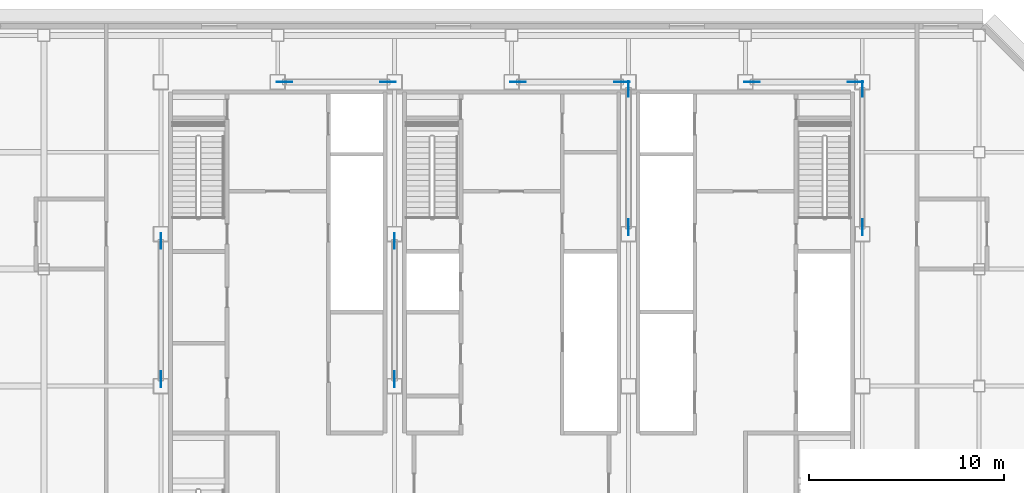
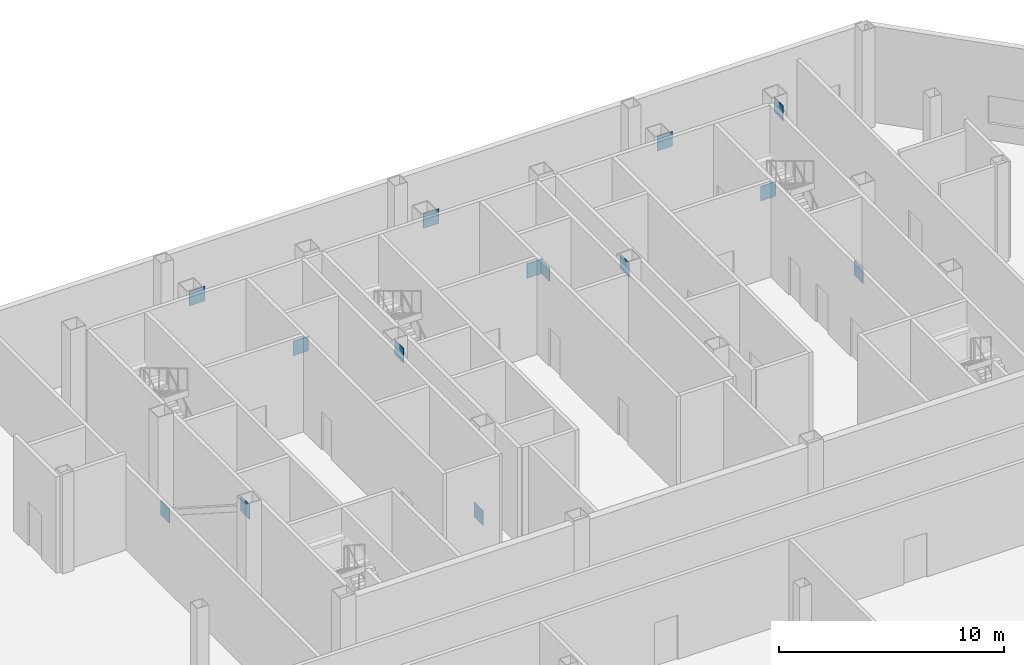
# One storey, part 9 of 11: 14 discrete accessories.
"""IFC4 building model written with IfcOpenShell, lengths in metres."""

from ifc_helpers import new_model, si_unit, direction, frame, origin, origin_2d, place, context, subcontext, project, spatial, rectangle, extrude, material, layer, layer_set, type_object, element, save


model = new_model("IFC4")

# Units and contexts
model_context = context("Model", 3, precision=1e-05, world=origin(), true_north=direction((0.0, 1.0)))
body_context = subcontext(model_context, "Body", "Model", "MODEL_VIEW")
ifc_project = project(units=[si_unit("LENGTHUNIT", "METRE"), si_unit("AREAUNIT", "SQUARE_METRE"), si_unit("VOLUMEUNIT", "CUBIC_METRE"), si_unit("PLANEANGLEUNIT", "RADIAN"), si_unit("MASSUNIT", "GRAM", prefix="KILO")], contexts=[model_context])

# Site, building, storey
site_placement = place(None, origin())
site = spatial("IfcSite", under=ifc_project, at=site_placement, CompositionType="ELEMENT")
building_placement = place(site_placement, origin())
building = spatial("IfcBuilding", under=site, at=building_placement, Name="Sorahane Residences", CompositionType="ELEMENT")
storey_placement = place(building_placement, frame((0.0, 0.0, 234.199951171875)))
storey = spatial("IfcBuildingStorey", under=building, at=storey_placement, Name="L55", CompositionType="ELEMENT", Elevation=234.199951171875)

# Discrete accessories
ifc_material = material(Name="Steel Q355B", Category="steel")
ifc_layer = layer(ifc_material, 0.02490234375)
ifc_layer_set = layer_set([ifc_layer], Name="Node plate Steel Q355B 25")
discrete_accessory_type = type_object("IfcDiscreteAccessoryType", Name="Node plate Steel Q355B 25", PredefinedType="BRACKET", material=ifc_layer_set)
for number, where, z_axis, x_axis, name in (
    (1, (6.0, 37.448486328125, -0.28076171875), (0.0, 0.0, 1.0), (0.0, 1.0, 0.0), "Node plate L55 br"),
    (2, (6.0, 30.3515625, 4.2509765625), (0.0, 0.0, 1.0), (0.0, 1.0, 0.0), "Node plate L55 br"),
    (3, (18.0, 30.3515625, -0.28076171875), (0.0, 0.0, 1.0), (0.0, 1.0, 0.0), "Node plate L55 br"),
    (4, (18.0, 37.448486328125, 4.2509765625), (0.0, 0.0, 1.0), (0.0, 1.0, 0.0), "Node plate L55 br"),
    (5, (30.0, 45.248291015625, -0.28076171875), (0.0, 0.0, 1.0), (0.0, 1.0, 0.0), "Node plate L55 br"),
    (6, (30.0, 38.151611328125, 4.2509765625), (0.0, 0.0, 1.0), (0.0, 1.0, 0.0), "Node plate L55 br"),
    (7, (42.0, 38.151611328125, -0.28076171875), (0.0, 0.0, 1.0), (0.0, 1.0, 0.0), "Node plate L55 br"),
    (8, (42.0, 45.248291015625, 4.2509765625), (0.0, 0.0, 1.0), (0.0, 1.0, 0.0), "Node plate L55 br"),
    (9, (17.65869140625, 45.60009765625, -0.30029296875), (0.0, 0.0, 1.0), (1.0, 0.0, 0.0), "Node plate L55 br"),
    (10, (29.65869140625, 45.60009765625, -0.30029296875), (0.0, 0.0, 1.0), (1.0, 0.0, 0.0), "Node plate L55 br"),
    (11, (41.65869140625, 45.60009765625, -0.30029296875), (0.0, 0.0, 1.0), (1.0, 0.0, 0.0), "Node plate L55 br"),
    (12, (12.34130859375, 45.60009765625, 4.2705078125), (0.0, 0.0, 1.0), (1.0, 0.0, 0.0), "Node plate L55 br"),
    (13, (24.34130859375, 45.60009765625, 4.2705078125), (0.0, 0.0, 1.0), (1.0, 0.0, 0.0), "Node plate L55 br"),
    (14, (36.34130859375, 45.60009765625, 4.2705078125), (0.0, 0.0, 1.0), (1.0, 0.0, 0.0), "Node plate L55 br"),
):
    element("IfcDiscreteAccessory", number, at=place(storey_placement, frame(where, z_axis=z_axis, x_axis=x_axis)), inside=storey, type_object=discrete_accessory_type, Name=name, PredefinedType="BRACKET", context=body_context, shape_type="SweptSolid", body=[
        extrude(rectangle(XDim=0.800048828125, YDim=0.02490234375, at=origin_2d()), origin(), (0.0, 0.0, 1.0), 0.800048828125),
    ])

save(model, "model.ifc")
